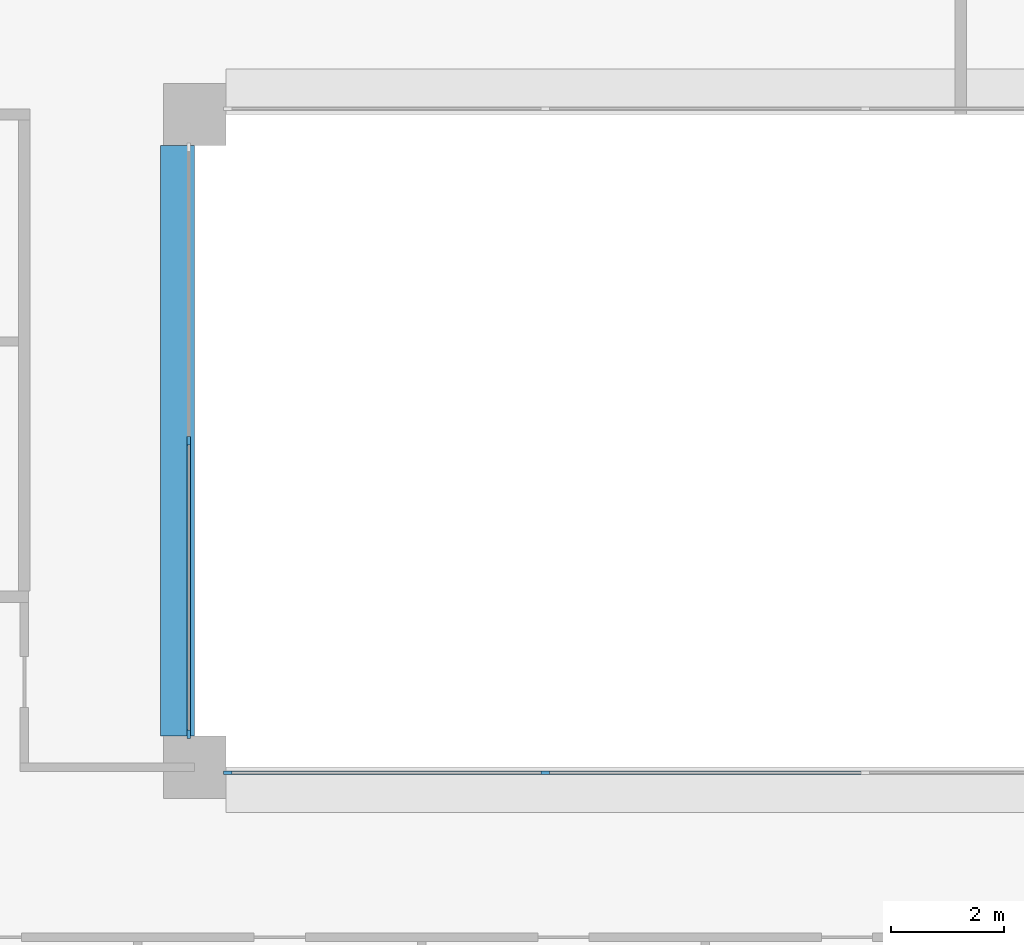
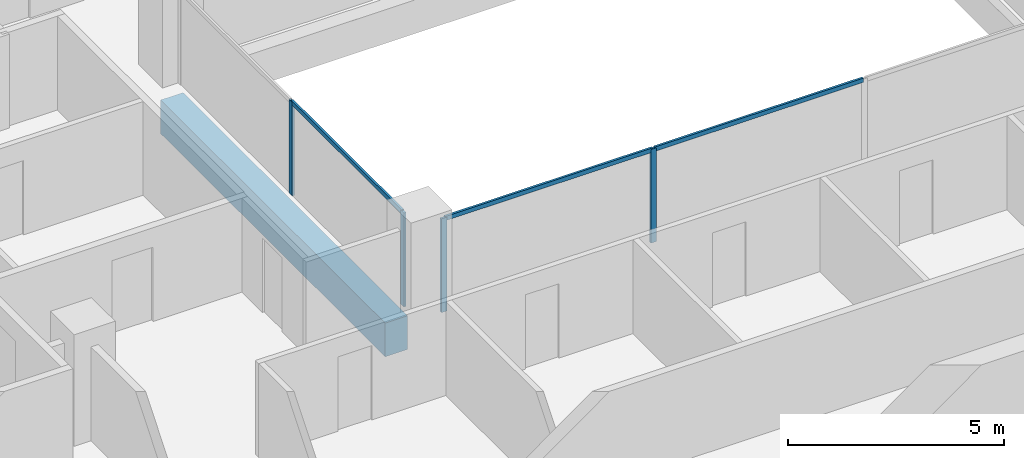
# One storey, part 2 of 16: 7 members, 1 beam, 2 elements without a shape of their own.
"""IFC4 building model written with IfcOpenShell, lengths in metres."""

from ifc_helpers import new_model, si_unit, direction, frame, origin, origin_2d, place, context, subcontext, project, spatial, rectangle, extrude, material, layer, layer_set, material_profile, profile_set, type_object, element, aggregate, save


model = new_model("IFC4")

# Units and contexts
model_context = context("Model", 3, precision=1e-05, world=origin(), true_north=direction((0.0, 1.0)))
body_context = subcontext(model_context, "Body", "Model", "MODEL_VIEW")
ifc_project = project(units=[si_unit("LENGTHUNIT", "METRE"), si_unit("AREAUNIT", "SQUARE_METRE"), si_unit("VOLUMEUNIT", "CUBIC_METRE"), si_unit("PLANEANGLEUNIT", "RADIAN"), si_unit("MASSUNIT", "GRAM", prefix="KILO")], contexts=[model_context])

# Site, building, storey
site_placement = place(None, origin())
site = spatial("IfcSite", under=ifc_project, at=site_placement, CompositionType="ELEMENT")
building_placement = place(site_placement, origin())
building = spatial("IfcBuilding", under=site, at=building_placement, Name="Brigalow Station Residences", CompositionType="ELEMENT")
storey_placement = place(building_placement, frame((0.0, 0.0, 182.25)))
storey = spatial("IfcBuildingStorey", under=building, at=storey_placement, Name="L53", CompositionType="ELEMENT", Elevation=182.25)

# Beam
ifc_material_1 = material(Name="Concrete C65", Category="concrete")
ifc_material_profile_1 = material_profile(ifc_material_1, rectangle(XDim=0.60009765625, YDim=0.949951171875, at=origin_2d()), Name="RC600x950")
ifc_profile_set_1 = profile_set([ifc_material_profile_1], Name="Concrete C65")
beam_type = type_object("IfcBeamType", Name="ATRIUM EDGE GIRDER 600x950 C65", PredefinedType="BEAM", material=ifc_profile_set_1)
beam_placement = place(storey_placement, frame((26.699951171875, 24.550048828125, -0.794921875), z_axis=(0.0, 1.0, 0.0), x_axis=(-1.0, 0.0, 0.0)))
element("IfcBeam", 1, at=beam_placement, inside=storey, type_object=beam_type, Name="ATRIUM EDGE GIRDER 3 L53", PredefinedType="BEAM", context=body_context, shape_type="SweptSolid", body=[
    extrude(rectangle(XDim=0.60009765625, YDim=0.949951171875, at=origin_2d()), origin(), (0.0, 0.0, 1.0), 10.39990234375),
])

# Curtain wall, members
ifc_material_2 = material(Name="Aluminium", Category="aluminium")
ifc_layer = layer(ifc_material_2, 0.14990234375)
ifc_layer_set = layer_set([ifc_layer], Name="ATRIUM FIRE-RATED GLAZING CURTAIN WALL")
curtain_wall_type = type_object("IfcCurtainWallType", Name="ATRIUM FIRE-RATED GLAZING CURTAIN WALL", PredefinedType="NOTDEFINED", material=ifc_layer_set)
curtain_wall_1_placement = place(storey_placement, origin())
curtain_wall_1 = element("IfcCurtainWall", 2, at=curtain_wall_1_placement, inside=storey, type_object=curtain_wall_type, Name="L53/cw/atrium-S", PredefinedType="NOTDEFINED")
ifc_material_3 = material(Name="Aluminium", Category="aluminium")
ifc_material_profile_2 = material_profile(ifc_material_3, rectangle(XDim=0.06005859375, YDim=0.14990234375, at=origin_2d()), Name="ATRIUM FIRE-RATED GLAZING MULLION 60x150")
ifc_profile_set_2 = profile_set([ifc_material_profile_2], Name="Aluminium")
member_type_1 = type_object("IfcMemberType", Name="ATRIUM FIRE-RATED GLAZING MULLION 60x150", PredefinedType="MULLION", material=ifc_profile_set_2)
member_1_placement = place(storey_placement, frame((27.580078125, 23.89990234375, 0.0), z_axis=(0.0, 0.0, 1.0), x_axis=(0.0, 1.0, 0.0)))
member_1 = element("IfcMember", 3, at=member_1_placement, type_object=member_type_1, Name="L53/cw/atrium-S/M00", PredefinedType="MULLION", context=body_context, shape_type="SweptSolid", body=[
    extrude(rectangle(XDim=0.06005859375, YDim=0.14990234375, at=origin_2d()), origin(), (0.0, 0.0, 1.0), 2.64990234375),
])
member_2_placement = place(storey_placement, frame((33.183349609375, 23.89990234375, 0.0), z_axis=(0.0, 0.0, 1.0), x_axis=(0.0, 1.0, 0.0)))
member_2 = element("IfcMember", 4, at=member_2_placement, type_object=member_type_1, Name="L53/cw/atrium-S/M01", PredefinedType="MULLION", context=body_context, shape_type="SweptSolid", body=[
    extrude(rectangle(XDim=0.06005859375, YDim=0.14990234375, at=origin_2d()), origin(), (0.0, 0.0, 1.0), 2.64990234375),
])

curtain_wall_2_placement = place(storey_placement, origin())
curtain_wall_2 = element("IfcCurtainWall", 5, at=curtain_wall_2_placement, inside=storey, type_object=curtain_wall_type, Name="L53/cw/atrium-W", PredefinedType="NOTDEFINED")
member_3_placement = place(storey_placement, frame((26.89990234375, 29.75, 0.0), z_axis=(0.0, 0.0, 1.0), x_axis=(1.0, 0.0, 0.0)))
member_3 = element("IfcMember", 6, at=member_3_placement, type_object=member_type_1, Name="L53/cw/atrium-W/M01", PredefinedType="MULLION", context=body_context, shape_type="SweptSolid", body=[
    extrude(rectangle(XDim=0.06005859375, YDim=0.14990234375, at=origin_2d()), origin(), (0.0, 0.0, 1.0), 2.64990234375),
])
member_4_placement = place(storey_placement, frame((26.89990234375, 24.580078125, 0.0), z_axis=(0.0, 0.0, 1.0), x_axis=(1.0, 0.0, 0.0)))
member_4 = element("IfcMember", 7, at=member_4_placement, type_object=member_type_1, Name="L53/cw/atrium-W/M02", PredefinedType="MULLION", context=body_context, shape_type="SweptSolid", body=[
    extrude(rectangle(XDim=0.06005859375, YDim=0.14990234375, at=origin_2d()), origin(), (0.0, 0.0, 1.0), 2.64990234375),
])

# Member
ifc_material_4 = material(Name="Aluminium", Category="aluminium")
ifc_material_profile_3 = material_profile(ifc_material_4, rectangle(XDim=0.06005859375, YDim=0.1201171875, at=origin_2d()), Name="ATRIUM FIRE-RATED GLAZING TRANSOM 60x120")
ifc_profile_set_3 = profile_set([ifc_material_profile_3], Name="Aluminium")
member_type_2 = type_object("IfcMemberType", Name="ATRIUM FIRE-RATED GLAZING TRANSOM 60x120", PredefinedType="USERDEFINED", material=ifc_profile_set_3)
member_5_placement = place(storey_placement, frame((27.610107421875, 23.89990234375, 2.6201171875), z_axis=(1.0, 0.0, 0.0), x_axis=(0.0, 1.0, 0.0)))
member_5 = element("IfcMember", 8, at=member_5_placement, type_object=member_type_2, Name="L53/cw/atrium-S/T00-00", ObjectType="TRANSOM", PredefinedType="USERDEFINED", context=body_context, shape_type="SweptSolid", body=[
    extrude(rectangle(XDim=0.06005859375, YDim=0.1201171875, at=origin_2d()), origin(), (0.0, 0.0, 1.0), 5.543212890625),
])

member_6_placement = place(storey_placement, frame((33.21337890625, 23.89990234375, 2.6201171875), z_axis=(1.0, 0.0, 0.0), x_axis=(0.0, 1.0, 0.0)))
member_6 = element("IfcMember", 9, at=member_6_placement, type_object=member_type_2, Name="L53/cw/atrium-S/T01-00", ObjectType="TRANSOM", PredefinedType="USERDEFINED", context=body_context, shape_type="SweptSolid", body=[
    extrude(rectangle(XDim=0.06005859375, YDim=0.1201171875, at=origin_2d()), origin(), (0.0, 0.0, 1.0), 5.5732421875),
])

aggregate(curtain_wall_1, [member_1, member_2, member_5, member_6])

member_7_placement = place(storey_placement, frame((26.89990234375, 29.719970703125, 2.6201171875), z_axis=(0.0, -1.0, 0.0), x_axis=(1.0, 0.0, 0.0)))
member_7 = element("IfcMember", 10, at=member_7_placement, type_object=member_type_2, Name="L53/cw/atrium-W/T01-00", ObjectType="TRANSOM", PredefinedType="USERDEFINED", context=body_context, shape_type="SweptSolid", body=[
    extrude(rectangle(XDim=0.06005859375, YDim=0.1201171875, at=origin_2d()), origin(), (0.0, 0.0, 1.0), 5.10986328125),
])

aggregate(curtain_wall_2, [member_3, member_4, member_7])

save(model, "model.ifc")
